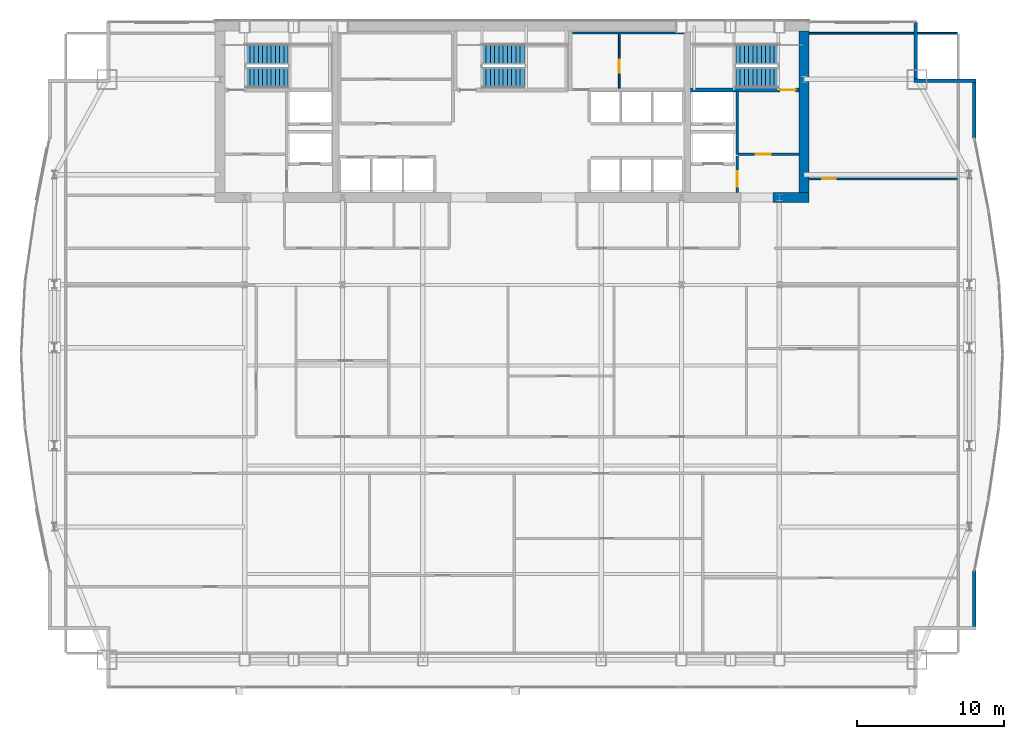
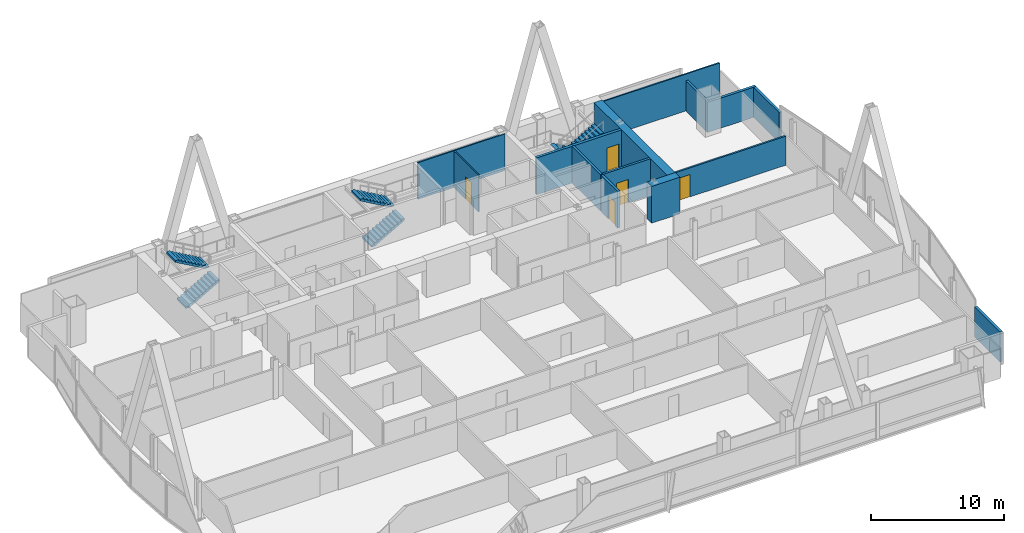
# One storey, part 29 of 31: 14 walls, 6 stair flights, 5 doors, 5 openings, 3 elements without a shape of their own.
"""IFC4 building model written with IfcOpenShell, lengths in metres."""

from ifc_helpers import new_model, si_unit, direction, frame, frame_2d, origin, place, context, subcontext, project, spatial, polyline, rectangle, outline, extrude, material, layer, layer_set, type_object, element, fill, aggregate, save


model = new_model("IFC4")

# Units and contexts
model_context = context("Model", 3, precision=1e-05, world=origin(), true_north=direction((0.0, 1.0)))
body_context = subcontext(model_context, "Body", "Model", "MODEL_VIEW")
ifc_project = project(units=[si_unit("LENGTHUNIT", "METRE"), si_unit("AREAUNIT", "SQUARE_METRE"), si_unit("VOLUMEUNIT", "CUBIC_METRE"), si_unit("PLANEANGLEUNIT", "RADIAN"), si_unit("MASSUNIT", "GRAM", prefix="KILO")], contexts=[model_context])

# Site, building, storey
site_placement = place(None, origin())
site = spatial("IfcSite", under=ifc_project, at=site_placement, CompositionType="ELEMENT")
building_placement = place(site_placement, origin())
building = spatial("IfcBuilding", under=site, at=building_placement, Name="Khoronbel Lancet Exchange", CompositionType="ELEMENT")
storey_placement = place(building_placement, frame((0.0, 0.0, 168.60009765625)))
storey = spatial("IfcBuildingStorey", under=building, at=storey_placement, Name="L42", CompositionType="ELEMENT", Elevation=168.60009765625)

# Walls
ifc_material_1 = material(Name="Concrete C80/95", Category="concrete")
ifc_layer_1 = layer(ifc_material_1, 0.699951171875, Name="Concrete C80/95")
ifc_layer_set_1 = layer_set([ifc_layer_1], Name="Concrete C80/95")
wall_type_1 = type_object("IfcWallType", Name="WL-CW2", PredefinedType="SHEAR", material=ifc_layer_set_1)
wall_1_placement = place(storey_placement, frame((56.35009765625, 53.0, 0.0), z_axis=(0.0, 0.0, 1.0), x_axis=(0.0, -1.0, 0.0)))
element("IfcWall", 1, at=wall_1_placement, inside=storey, type_object=wall_type_1, Name="Level L42 rear core east shear wall", PredefinedType="SHEAR", context=body_context, shape_type="SweptSolid", body=[
    extrude(rectangle(XDim=11.0, YDim=0.699951171875, at=frame_2d((5.5, 0.0))), origin(), (0.0, 0.0, 1.0), 3.3798828125),
])
wall_2_placement = place(storey_placement, frame((56.699951171875, 41.64990234375, 0.0), z_axis=(0.0, 0.0, 1.0), x_axis=(-1.0, 0.0, 0.0)))
element("IfcWall", 2, at=wall_2_placement, inside=storey, type_object=wall_type_1, Name="Level L42 rear core south shear wall pier P5", PredefinedType="SHEAR", context=body_context, shape_type="SweptSolid", body=[
    extrude(rectangle(XDim=2.449951171875, YDim=0.699951171875, at=frame_2d((1.22509765625, 0.0))), origin(), (0.0, 0.0, 1.0), 3.3798828125),
])
ifc_material_2 = material(Name="Precast concrete C40/50", Category="concrete")
ifc_layer_2 = layer(ifc_material_2, 0.25, Name="Precast concrete C40/50")
ifc_layer_set_2 = layer_set([ifc_layer_2], Name="Precast concrete C40/50")
wall_type_2 = type_object("IfcWallType", Name="WL-EXT250", PredefinedType="SOLIDWALL", material=ifc_layer_set_2)
wall_3_placement = place(storey_placement, frame((63.9599609375, 53.6298828125, 0.0), z_axis=(0.0, 0.0, 1.0), x_axis=(0.0, -1.0, 0.0)))
element("IfcWall", 3, at=wall_3_placement, inside=storey, type_object=wall_type_2, Name="Level L42 notched-corner limestone pier 14", PredefinedType="SOLIDWALL", context=body_context, shape_type="SweptSolid", body=[
    extrude(rectangle(XDim=3.909912109375, YDim=0.219970703125, at=frame_2d((1.955078125, 0.0))), origin(), (0.0, 0.0, 1.0), 2.77001953125),
])
wall_4_placement = place(storey_placement, frame((63.85009765625, 49.610107421875, 0.0), z_axis=(0.0, 0.0, 1.0), x_axis=(1.0, 0.0, 0.0)))
element("IfcWall", 4, at=wall_4_placement, inside=storey, type_object=wall_type_2, Name="Level L42 notched-corner limestone pier 15", PredefinedType="SOLIDWALL", context=body_context, shape_type="SweptSolid", body=[
    extrude(rectangle(XDim=4.219970703125, YDim=0.219970703125, at=frame_2d((2.10986328125, 0.0))), origin(), (0.0, 0.0, 1.0), 2.77001953125),
])
for number, where, z_axis, x_axis, name in (
    (5, (67.9599609375, 49.5, 0.0), (0.0, 0.0, 1.0), (0.0, -1.0, 0.0), "Level L42 notched-corner limestone pier 16"),
    (6, (67.9599609375, 16.228759765625, 0.0), (0.0, 0.0, 1.0), (0.0, -1.0, 0.0), "Level L42 notched-corner limestone pier 23"),
):
    element("IfcWall", number, at=place(storey_placement, frame(where, z_axis=z_axis, x_axis=x_axis)), inside=storey, type_object=wall_type_2, Name=name, PredefinedType="SOLIDWALL", context=body_context, shape_type="SweptSolid", body=[
        extrude(rectangle(XDim=3.828857421875, YDim=0.219970703125, at=frame_2d((1.91455078125, 0.0))), origin(), (0.0, 0.0, 1.0), 2.77001953125),
    ])

# Wall, opening, door
ifc_material_3 = material(Name="Acoustic Metal-Stud & Mineral-Wool Gypsum Partition 120 mm", Category="gypsum")
ifc_layer_3 = layer(ifc_material_3, 0.1201171875, Name="Acoustic Metal-Stud & Mineral-Wool Gypsum Partition 120 mm")
ifc_layer_set_3 = layer_set([ifc_layer_3], Name="Acoustic Metal-Stud & Mineral-Wool Gypsum Partition 120 mm")
wall_type_3 = type_object("IfcWallType", Name="WL-PRT120", PredefinedType="PARTITIONING", material=ifc_layer_set_3)
wall_5_placement = place(storey_placement, frame((56.699951171875, 42.919921875, 0.0), z_axis=(0.0, 0.0, 1.0), x_axis=(1.0, 0.0, 0.0)))
wall_5 = element("IfcWall", 7, at=wall_5_placement, inside=storey, type_object=wall_type_3, Name="Level L42 interior partition PW-NE-H", PredefinedType="PARTITIONING", context=body_context, shape_type="SweptSolid", body=[
    extrude(rectangle(XDim=10.10498046875, YDim=0.14990234375, at=frame_2d((5.052490234375, 0.0))), origin(), (0.0, 0.0, 1.0), 2.669921875),
])
opening_1_placement = place(wall_5_placement, frame((0.89990234375, 0.0, 0.0)))
opening_1 = element("IfcOpeningElement", 8, at=opening_1_placement, cuts=wall_5, Name="Opening D5", PredefinedType="OPENING", context=body_context, shape_type="SweptSolid", body=[
    extrude(rectangle(XDim=0.89990234375, YDim=2.050048828125, at=frame_2d((0.449951171875, 1.02490234375))), frame((0.0, 0.0849609375, 0.0), z_axis=(0.0, -1.0, 0.0), x_axis=(1.0, 0.0, 0.0)), (0.0, 0.0, 1.0), 0.169921875),
])
ifc_material_4 = material(Name="Acoustic Timber Pantry & Support Door", Category="wood")
door_type_1 = type_object("IfcDoorType", Name="DR-D5", OperationType="NOTDEFINED", PredefinedType="DOOR", material=ifc_material_4)
door_1_placement = place(opening_1_placement, origin())
door_1 = element("IfcDoor", 9, at=door_1_placement, inside=storey, type_object=door_type_1, Name="NE north room door L42-1", OperationType="SINGLE_SWING_RIGHT", OverallHeight=2.050048828125, OverallWidth=0.89990234375, PredefinedType="DOOR", context=body_context, shape_type="SweptSolid", body=[
    extrude(rectangle(XDim=0.89990234375, YDim=2.050048828125, at=frame_2d((0.449951171875, 1.02490234375))), frame((0.0, 0.02490234375, 0.0), z_axis=(0.0, -1.0, 0.0), x_axis=(1.0, 0.0, 0.0)), (0.0, 0.0, 1.0), 0.050048828125),
])
fill(opening_1, door_1)

# Walls
wall_6_placement = place(storey_placement, frame((56.699951171875, 52.840087890625, 0.0), z_axis=(0.0, 0.0, 1.0), x_axis=(1.0, 0.0, 0.0)))
element("IfcWall", 10, at=wall_6_placement, inside=storey, type_object=wall_type_3, Name="Level L42 interior partition PW-LIN-NE", PredefinedType="PARTITIONING", context=body_context, shape_type="SweptSolid", body=[
    extrude(rectangle(XDim=10.10498046875, YDim=0.1201171875, at=frame_2d((5.052490234375, 0.0))), origin(), (0.0, 0.0, 1.0), 3.3798828125),
])
ifc_material_5 = material(Name="Fire-Rated Metal-Stud & Mineral-Wool Gypsum Partition 120 mm", Category="gypsum")
ifc_layer_4 = layer(ifc_material_5, 0.1201171875, Name="Fire-Rated Metal-Stud & Mineral-Wool Gypsum Partition 120 mm")
ifc_layer_set_4 = layer_set([ifc_layer_4], Name="Fire-Rated Metal-Stud & Mineral-Wool Gypsum Partition 120 mm")
wall_type_4 = type_object("IfcWallType", Name="WL-PRT120F", PredefinedType="PARTITIONING", material=ifc_layer_set_4)
wall_7_placement = place(storey_placement, frame((40.580078125, 52.860107421875, 0.0), z_axis=(0.0, 0.0, 1.0), x_axis=(1.0, 0.0, 0.0)))
element("IfcWall", 11, at=wall_7_placement, inside=storey, type_object=wall_type_4, Name="Level L42 interior partition CW-SUP-NE-N", PredefinedType="PARTITIONING", context=body_context, shape_type="SweptSolid", body=[
    extrude(rectangle(XDim=7.559814453125, YDim=0.1201171875, at=frame_2d((3.77978515625, 0.0))), origin(), (0.0, 0.0, 1.0), 3.3798828125),
])

# Wall, opening, door
wall_8_placement = place(storey_placement, frame((43.755126953125, 49.10498046875, 0.0), z_axis=(0.0, 0.0, 1.0), x_axis=(0.0, 1.0, 0.0)))
wall_8 = element("IfcWall", 12, at=wall_8_placement, inside=storey, type_object=wall_type_4, Name="Level L42 interior partition CW-SUP-NE-M", PredefinedType="PARTITIONING", context=body_context, shape_type="SweptSolid", body=[
    extrude(rectangle(XDim=3.68994140625, YDim=0.1201171875, at=frame_2d((1.844970703125, 0.0))), origin(), (0.0, 0.0, 1.0), 3.3798828125),
])
opening_2_placement = place(wall_8_placement, frame((1.050048828125, 0.0, 0.0)))
opening_2 = element("IfcOpeningElement", 13, at=opening_2_placement, cuts=wall_8, Name="Opening FD4", PredefinedType="OPENING", context=body_context, shape_type="SweptSolid", body=[
    extrude(rectangle(XDim=0.89990234375, YDim=2.050048828125, at=frame_2d((0.449951171875, 1.02490234375))), frame((0.0, 0.070068359375, 0.0), z_axis=(0.0, -1.0, 0.0), x_axis=(1.0, 0.0, 0.0)), (0.0, 0.0, 1.0), 0.14013671875),
])
ifc_material_6 = material(Name="Fire-Rated Steel Core Support Door Assembly", Category="steel")
door_type_2 = type_object("IfcDoorType", Name="DR-FD4", OperationType="NOTDEFINED", PredefinedType="DOOR", material=ifc_material_6)
door_2_placement = place(opening_2_placement, origin())
door_2 = element("IfcDoor", 14, at=door_2_placement, inside=storey, type_object=door_type_2, Name="Core NE inner support door L42-1", OperationType="SINGLE_SWING_LEFT", OverallHeight=2.050048828125, OverallWidth=0.89990234375, PredefinedType="DOOR", context=body_context, shape_type="SweptSolid", body=[
    extrude(rectangle(XDim=0.89990234375, YDim=2.050048828125, at=frame_2d((0.449951171875, 1.02490234375))), frame((0.0, 0.02490234375, 0.0), z_axis=(0.0, -1.0, 0.0), x_axis=(1.0, 0.0, 0.0)), (0.0, 0.0, 1.0), 0.050048828125),
])
fill(opening_2, door_2)

# Wall
ifc_material_7 = material(Name="Autoclaved Aerated Concrete Blockwork 200 mm", Category="masonry")
ifc_layer_5 = layer(ifc_material_7, 0.199951171875, Name="Autoclaved Aerated Concrete Blockwork 200 mm")
ifc_layer_set_5 = layer_set([ifc_layer_5], Name="Autoclaved Aerated Concrete Blockwork 200 mm")
wall_type_5 = type_object("IfcWallType", Name="WL-PRT200", PredefinedType="PARTITIONING", material=ifc_layer_set_5)
wall_9_placement = place(storey_placement, frame((51.800048828125, 44.60009765625, 0.0), z_axis=(0.0, 0.0, 1.0), x_axis=(0.0, 1.0, 0.0)))
element("IfcWall", 15, at=wall_9_placement, inside=storey, type_object=wall_type_5, Name="Level L42 interior partition CW-FFLE-W", PredefinedType="PARTITIONING", context=body_context, shape_type="SweptSolid", body=[
    extrude(rectangle(XDim=4.2998046875, YDim=0.199951171875, at=frame_2d((2.14990234375, 0.0))), origin(), (0.0, 0.0, 1.0), 3.3798828125),
])

# Wall, opening, door
wall_10_placement = place(storey_placement, frame((51.89990234375, 44.60009765625, 0.0), z_axis=(0.0, 0.0, 1.0), x_axis=(1.0, 0.0, 0.0)))
wall_10 = element("IfcWall", 16, at=wall_10_placement, inside=storey, type_object=wall_type_5, Name="Level L42 interior partition CW-FFLE-S", PredefinedType="PARTITIONING", context=body_context, shape_type="SweptSolid", body=[
    extrude(rectangle(XDim=4.10009765625, YDim=0.199951171875, at=frame_2d((2.050048828125, 0.0))), origin(), (0.0, 0.0, 1.0), 3.3798828125),
])
opening_3_placement = place(wall_10_placement, frame((1.14990234375, 0.0, 0.0)))
opening_3 = element("IfcOpeningElement", 17, at=opening_3_placement, cuts=wall_10, Name="Opening FD1", PredefinedType="OPENING", context=body_context, shape_type="SweptSolid", body=[
    extrude(rectangle(XDim=1.050048828125, YDim=2.14990234375, at=frame_2d((0.52490234375, 1.074951171875))), frame((0.0, 0.10986328125, 0.0), z_axis=(0.0, -1.0, 0.0), x_axis=(1.0, 0.0, 0.0)), (0.0, 0.0, 1.0), 0.219970703125),
])
ifc_material_8 = material(Name="Fire-Rated Painted Steel Door Assembly", Category="steel")
door_type_3 = type_object("IfcDoorType", Name="DR-FD1", OperationType="NOTDEFINED", PredefinedType="DOOR", material=ifc_material_8)
door_3_placement = place(opening_3_placement, origin())
door_3 = element("IfcDoor", 18, at=door_3_placement, inside=storey, type_object=door_type_3, Name="East firefighting lobby FD90S door L42-1", OperationType="SINGLE_SWING_RIGHT", OverallHeight=2.14990234375, OverallWidth=1.050048828125, PredefinedType="DOOR", context=body_context, shape_type="SweptSolid", body=[
    extrude(rectangle(XDim=1.050048828125, YDim=2.14990234375, at=frame_2d((0.52490234375, 1.074951171875))), frame((0.0, 0.02490234375, 0.0), z_axis=(0.0, -1.0, 0.0), x_axis=(1.0, 0.0, 0.0)), (0.0, 0.0, 1.0), 0.050048828125),
])
fill(opening_3, door_3)

wall_11_placement = place(storey_placement, frame((51.800048828125, 42.0, 0.0), z_axis=(0.0, 0.0, 1.0), x_axis=(0.0, 1.0, 0.0)))
wall_11 = element("IfcWall", 19, at=wall_11_placement, inside=storey, type_object=wall_type_5, Name="Level L42 interior partition CW-SVLE-E", PredefinedType="PARTITIONING", context=body_context, shape_type="SweptSolid", body=[
    extrude(rectangle(XDim=2.4951171875, YDim=0.199951171875, at=frame_2d((1.24755859375, 0.0))), origin(), (0.0, 0.0, 1.0), 3.3798828125),
])
opening_4_placement = place(wall_11_placement, frame((0.3798828125, 0.0, 0.0)))
opening_4 = element("IfcOpeningElement", 20, at=opening_4_placement, cuts=wall_11, Name="Opening FD1", PredefinedType="OPENING", context=body_context, shape_type="SweptSolid", body=[
    extrude(rectangle(XDim=1.050048828125, YDim=2.14990234375, at=frame_2d((0.52490234375, 1.074951171875))), frame((0.0, 0.10986328125, 0.0), z_axis=(0.0, -1.0, 0.0), x_axis=(1.0, 0.0, 0.0)), (0.0, 0.0, 1.0), 0.219970703125),
])
door_4_placement = place(opening_4_placement, origin())
door_4 = element("IfcDoor", 21, at=door_4_placement, inside=storey, type_object=door_type_3, Name="East service lift lobby door L42-1", OperationType="SINGLE_SWING_LEFT", OverallHeight=2.14990234375, OverallWidth=1.050048828125, PredefinedType="DOOR", context=body_context, shape_type="SweptSolid", body=[
    extrude(rectangle(XDim=1.050048828125, YDim=2.14990234375, at=frame_2d((0.52490234375, 1.074951171875))), frame((0.0, 0.02490234375, 0.0), z_axis=(0.0, -1.0, 0.0), x_axis=(1.0, 0.0, 0.0)), (0.0, 0.0, 1.0), 0.050048828125),
])
fill(opening_4, door_4)

ifc_material_9 = material(Name="Concrete C60/75", Category="concrete")
ifc_layer_6 = layer(ifc_material_9, 0.260009765625, Name="Concrete C60/75")
ifc_layer_set_6 = layer_set([ifc_layer_6], Name="Concrete C60/75")
wall_type_6 = type_object("IfcWallType", Name="WL-SW3", PredefinedType="SHEAR", material=ifc_layer_set_6)
wall_12_placement = place(storey_placement, frame((48.6298828125, 48.97998046875, 0.0), z_axis=(0.0, 0.0, 1.0), x_axis=(1.0, 0.0, 0.0)))
wall_12 = element("IfcWall", 22, at=wall_12_placement, inside=storey, type_object=wall_type_6, Name="Level L42 east stairwell structural south wall", PredefinedType="SHEAR", context=body_context, shape_type="SweptSolid", body=[
    extrude(rectangle(XDim=7.3701171875, YDim=0.239990234375, at=frame_2d((3.68505859375, 0.0))), origin(), (0.0, 0.0, 1.0), 3.3798828125),
])
opening_5_placement = place(wall_12_placement, frame((6.10009765625, 0.0, 0.0)))
opening_5 = element("IfcOpeningElement", 23, at=opening_5_placement, cuts=wall_12, Name="Opening SD1", PredefinedType="OPENING", context=body_context, shape_type="SweptSolid", body=[
    extrude(rectangle(XDim=1.050048828125, YDim=2.14990234375, at=frame_2d((0.52490234375, 1.074951171875))), frame((0.0, 0.1298828125, 0.0), z_axis=(0.0, -1.0, 0.0), x_axis=(1.0, 0.0, 0.0)), (0.0, 0.0, 1.0), 0.260009765625),
])
ifc_material_10 = material(Name="Fire-Rated Steel Stairwell Door Assembly", Category="steel")
door_type_4 = type_object("IfcDoorType", Name="DR-SD1", OperationType="NOTDEFINED", PredefinedType="DOOR", material=ifc_material_10)
door_5_placement = place(opening_5_placement, origin())
door_5 = element("IfcDoor", 24, at=door_5_placement, inside=storey, type_object=door_type_4, Name="Protected exit stair ST2 door L42", OperationType="SINGLE_SWING_RIGHT", OverallHeight=2.14990234375, OverallWidth=1.050048828125, PredefinedType="DOOR", context=body_context, shape_type="SweptSolid", body=[
    extrude(rectangle(XDim=1.050048828125, YDim=2.14990234375, at=frame_2d((0.52490234375, 1.074951171875))), frame((0.0, 0.02490234375, 0.0), z_axis=(0.0, -1.0, 0.0), x_axis=(1.0, 0.0, 0.0)), (0.0, 0.0, 1.0), 0.050048828125),
])
fill(opening_5, door_5)

# Stair, stair flights
ifc_material_11 = material(Name="Concrete C40/50", Category="concrete")
stair_type = type_object("IfcStairType", Name="STR-CORE150", PredefinedType="HALF_TURN_STAIR", material=ifc_material_11)
stair_1_placement = place(storey_placement, origin())
stair_1 = element("IfcStair", 25, at=stair_1_placement, inside=storey, type_object=stair_type, Name="L42 Protected Exit Stair ST1", PredefinedType="HALF_TURN_STAIR")
stair_flight_type = type_object("IfcStairFlightType", Name="STF-150", PredefinedType="STRAIGHT", material=ifc_material_11)
stair_flight_1_placement = place(storey_placement, frame((18.300048828125, 49.81005859375, 0.0), z_axis=(0.0, 0.0, 1.0), x_axis=(1.0, 0.0, 0.0)))
stair_flight_1 = element("IfcStairFlight", 26, at=stair_flight_1_placement, type_object=stair_flight_type, Name="ST1 flight 1", NumberOfRisers=11, NumberOfTreads=10, PredefinedType="STRAIGHT", RiserHeight=0.163636364, TreadLength=0.29, context=body_context, shape_type="SweptSolid", body=[
    extrude(outline(polyline([(0.0, 0.0), (0.0, 0.16357421875), (0.2900390625, 0.16357421875), (0.2900390625, 0.327392578125), (0.580078125, 0.327392578125), (0.580078125, 0.490966796875), (0.8701171875, 0.490966796875), (0.8701171875, 0.654541015625), (1.159912109375, 0.654541015625), (1.159912109375, 0.818115234375), (1.449951171875, 0.818115234375), (1.449951171875, 0.98193359375), (1.739990234375, 0.98193359375), (1.739990234375, 1.1455078125), (2.030029296875, 1.1455078125), (2.030029296875, 1.30908203125), (2.320068359375, 1.30908203125), (2.320068359375, 1.47265625), (2.610107421875, 1.47265625), (2.610107421875, 1.636474609375), (2.89990234375, 1.636474609375), (2.89990234375, 1.800048828125), (2.89990234375, 1.46435546875), (0.304931640625, 0.0), (0.0, 0.0)])), frame((0.0, 0.68994140625, 0.0), z_axis=(0.0, -1.0, 0.0), x_axis=(1.0, 0.0, 0.0)), (0.0, 0.0, 1.0), 1.3798828125),
])
stair_flight_2_placement = place(storey_placement, frame((21.199951171875, 51.409912109375, 1.7998046875), z_axis=(0.0, 0.0, 1.0), x_axis=(-1.0, 0.0, 0.0)))
stair_flight_2 = element("IfcStairFlight", 27, at=stair_flight_2_placement, type_object=stair_flight_type, Name="ST1 flight 2", NumberOfRisers=11, NumberOfTreads=10, PredefinedType="STRAIGHT", RiserHeight=0.163636364, TreadLength=0.29, context=body_context, shape_type="SweptSolid", body=[
    extrude(outline(polyline([(0.0, 0.0), (0.0, 0.16357421875), (0.2900390625, 0.16357421875), (0.2900390625, 0.327392578125), (0.580078125, 0.327392578125), (0.580078125, 0.490966796875), (0.8701171875, 0.490966796875), (0.8701171875, 0.654541015625), (1.159912109375, 0.654541015625), (1.159912109375, 0.818115234375), (1.449951171875, 0.818115234375), (1.449951171875, 0.98193359375), (1.739990234375, 0.98193359375), (1.739990234375, 1.1455078125), (2.030029296875, 1.1455078125), (2.030029296875, 1.30908203125), (2.320068359375, 1.30908203125), (2.320068359375, 1.47265625), (2.610107421875, 1.47265625), (2.610107421875, 1.636474609375), (2.89990234375, 1.636474609375), (2.89990234375, 1.800048828125), (2.89990234375, 1.46435546875), (0.304931640625, 0.0), (0.0, 0.0)])), frame((0.0, 0.68994140625, 0.0), z_axis=(0.0, -1.0, 0.0), x_axis=(1.0, 0.0, 0.0)), (0.0, 0.0, 1.0), 1.3798828125),
])
aggregate(stair_1, [stair_flight_1, stair_flight_2])

stair_2_placement = place(storey_placement, origin())
stair_2 = element("IfcStair", 28, at=stair_2_placement, inside=storey, type_object=stair_type, Name="L42 Protected Exit Stair ST2", PredefinedType="HALF_TURN_STAIR")
stair_flight_3_placement = place(storey_placement, frame((54.60009765625, 51.409912109375, 0.0), z_axis=(0.0, 0.0, 1.0), x_axis=(-1.0, 0.0, 0.0)))
stair_flight_3 = element("IfcStairFlight", 29, at=stair_flight_3_placement, type_object=stair_flight_type, Name="ST2 flight 1", NumberOfRisers=11, NumberOfTreads=10, PredefinedType="STRAIGHT", RiserHeight=0.163636364, TreadLength=0.29, context=body_context, shape_type="SweptSolid", body=[
    extrude(outline(polyline([(0.0, 0.0), (0.0, 0.16357421875), (0.2900390625, 0.16357421875), (0.2900390625, 0.327392578125), (0.580078125, 0.327392578125), (0.580078125, 0.490966796875), (0.8701171875, 0.490966796875), (0.8701171875, 0.654541015625), (1.159912109375, 0.654541015625), (1.159912109375, 0.818115234375), (1.449951171875, 0.818115234375), (1.449951171875, 0.98193359375), (1.739990234375, 0.98193359375), (1.739990234375, 1.1455078125), (2.030029296875, 1.1455078125), (2.030029296875, 1.30908203125), (2.320068359375, 1.30908203125), (2.320068359375, 1.47265625), (2.610107421875, 1.47265625), (2.610107421875, 1.636474609375), (2.89990234375, 1.636474609375), (2.89990234375, 1.800048828125), (2.89990234375, 1.46435546875), (0.304931640625, 0.0), (0.0, 0.0)])), frame((0.0, 0.68994140625, 0.0), z_axis=(0.0, -1.0, 0.0), x_axis=(1.0, 0.0, 0.0)), (0.0, 0.0, 1.0), 1.3798828125),
])
stair_flight_4_placement = place(storey_placement, frame((51.699951171875, 49.81005859375, 1.7998046875), z_axis=(0.0, 0.0, 1.0), x_axis=(1.0, 0.0, 0.0)))
stair_flight_4 = element("IfcStairFlight", 30, at=stair_flight_4_placement, type_object=stair_flight_type, Name="ST2 flight 2", NumberOfRisers=11, NumberOfTreads=10, PredefinedType="STRAIGHT", RiserHeight=0.163636364, TreadLength=0.29, context=body_context, shape_type="SweptSolid", body=[
    extrude(outline(polyline([(0.0, 0.0), (0.0, 0.16357421875), (0.2900390625, 0.16357421875), (0.2900390625, 0.327392578125), (0.580078125, 0.327392578125), (0.580078125, 0.490966796875), (0.8701171875, 0.490966796875), (0.8701171875, 0.654541015625), (1.159912109375, 0.654541015625), (1.159912109375, 0.818115234375), (1.449951171875, 0.818115234375), (1.449951171875, 0.98193359375), (1.739990234375, 0.98193359375), (1.739990234375, 1.1455078125), (2.030029296875, 1.1455078125), (2.030029296875, 1.30908203125), (2.320068359375, 1.30908203125), (2.320068359375, 1.47265625), (2.610107421875, 1.47265625), (2.610107421875, 1.636474609375), (2.89990234375, 1.636474609375), (2.89990234375, 1.800048828125), (2.89990234375, 1.46435546875), (0.304931640625, 0.0), (0.0, 0.0)])), frame((0.0, 0.68994140625, 0.0), z_axis=(0.0, -1.0, 0.0), x_axis=(1.0, 0.0, 0.0)), (0.0, 0.0, 1.0), 1.3798828125),
])
aggregate(stair_2, [stair_flight_3, stair_flight_4])

stair_3_placement = place(storey_placement, origin())
stair_3 = element("IfcStair", 31, at=stair_3_placement, inside=storey, type_object=stair_type, Name="L42 Protected Exit Stair ST3", PredefinedType="HALF_TURN_STAIR")
stair_flight_5_placement = place(storey_placement, frame((34.39990234375, 49.81005859375, 0.0), z_axis=(0.0, 0.0, 1.0), x_axis=(1.0, 0.0, 0.0)))
stair_flight_5 = element("IfcStairFlight", 32, at=stair_flight_5_placement, type_object=stair_flight_type, Name="ST3 flight 1", NumberOfRisers=11, NumberOfTreads=10, PredefinedType="STRAIGHT", RiserHeight=0.163636364, TreadLength=0.29, context=body_context, shape_type="SweptSolid", body=[
    extrude(outline(polyline([(0.0, 0.0), (0.0, 0.16357421875), (0.2900390625, 0.16357421875), (0.2900390625, 0.327392578125), (0.580078125, 0.327392578125), (0.580078125, 0.490966796875), (0.8701171875, 0.490966796875), (0.8701171875, 0.654541015625), (1.159912109375, 0.654541015625), (1.159912109375, 0.818115234375), (1.449951171875, 0.818115234375), (1.449951171875, 0.98193359375), (1.739990234375, 0.98193359375), (1.739990234375, 1.1455078125), (2.030029296875, 1.1455078125), (2.030029296875, 1.30908203125), (2.320068359375, 1.30908203125), (2.320068359375, 1.47265625), (2.610107421875, 1.47265625), (2.610107421875, 1.636474609375), (2.89990234375, 1.636474609375), (2.89990234375, 1.800048828125), (2.89990234375, 1.46435546875), (0.304931640625, 0.0), (0.0, 0.0)])), frame((0.0, 0.68994140625, 0.0), z_axis=(0.0, -1.0, 0.0), x_axis=(1.0, 0.0, 0.0)), (0.0, 0.0, 1.0), 1.3798828125),
])
stair_flight_6_placement = place(storey_placement, frame((37.300048828125, 51.409912109375, 1.7998046875), z_axis=(0.0, 0.0, 1.0), x_axis=(-1.0, 0.0, 0.0)))
stair_flight_6 = element("IfcStairFlight", 33, at=stair_flight_6_placement, type_object=stair_flight_type, Name="ST3 flight 2", NumberOfRisers=11, NumberOfTreads=10, PredefinedType="STRAIGHT", RiserHeight=0.163636364, TreadLength=0.29, context=body_context, shape_type="SweptSolid", body=[
    extrude(outline(polyline([(0.0, 0.0), (0.0, 0.16357421875), (0.2900390625, 0.16357421875), (0.2900390625, 0.327392578125), (0.580078125, 0.327392578125), (0.580078125, 0.490966796875), (0.8701171875, 0.490966796875), (0.8701171875, 0.654541015625), (1.159912109375, 0.654541015625), (1.159912109375, 0.818115234375), (1.449951171875, 0.818115234375), (1.449951171875, 0.98193359375), (1.739990234375, 0.98193359375), (1.739990234375, 1.1455078125), (2.030029296875, 1.1455078125), (2.030029296875, 1.30908203125), (2.320068359375, 1.30908203125), (2.320068359375, 1.47265625), (2.610107421875, 1.47265625), (2.610107421875, 1.636474609375), (2.89990234375, 1.636474609375), (2.89990234375, 1.800048828125), (2.89990234375, 1.46435546875), (0.304931640625, 0.0), (0.0, 0.0)])), frame((0.0, 0.68994140625, 0.0), z_axis=(0.0, -1.0, 0.0), x_axis=(1.0, 0.0, 0.0)), (0.0, 0.0, 1.0), 1.3798828125),
])
aggregate(stair_3, [stair_flight_5, stair_flight_6])

save(model, "model.ifc")
